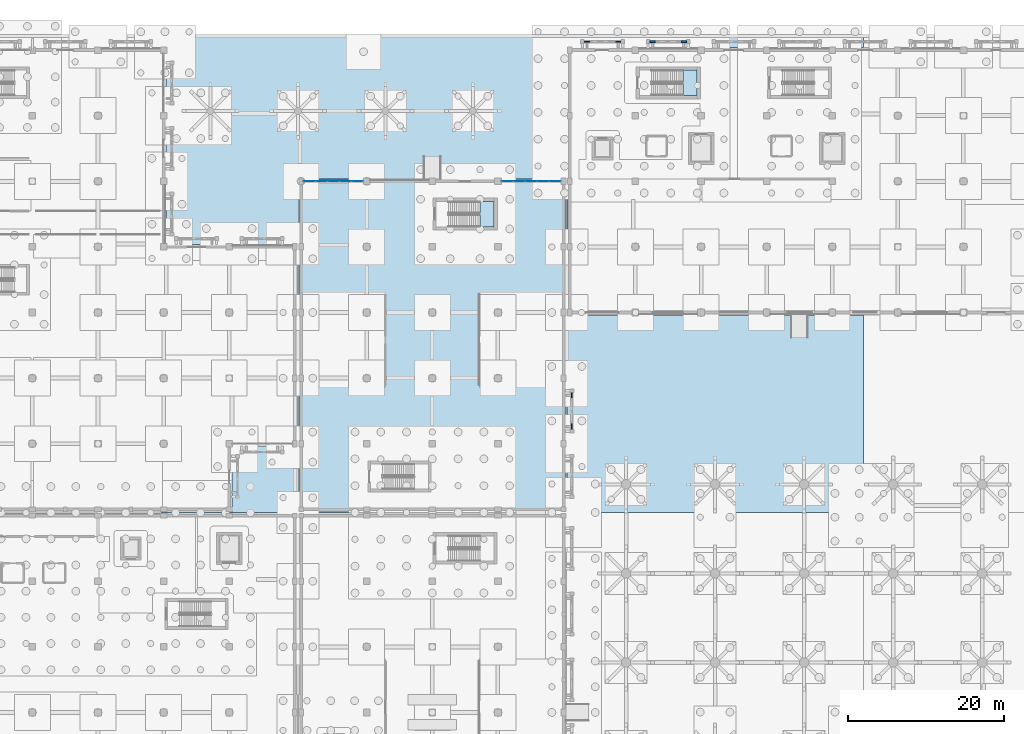
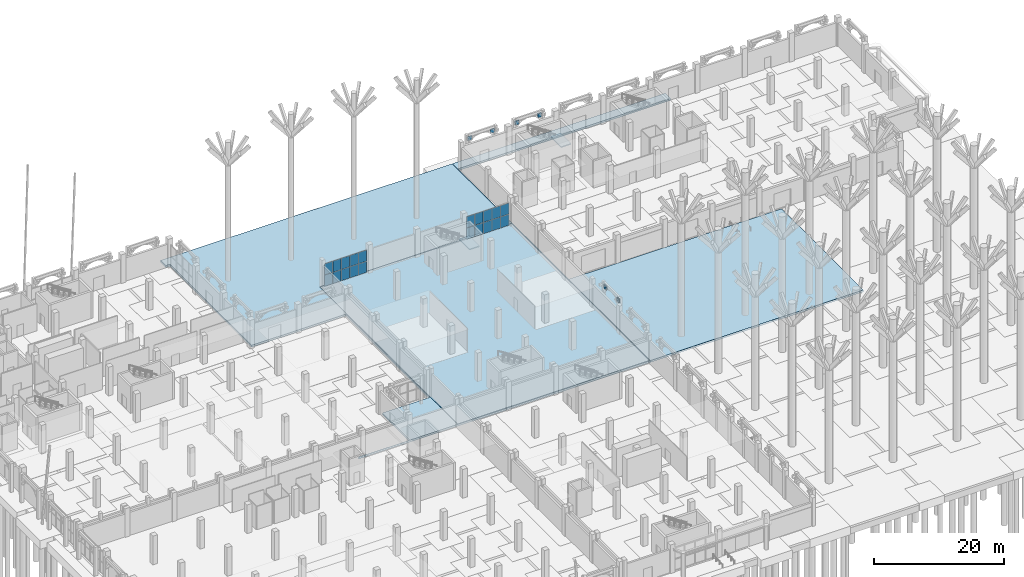
# One storey, part 54 of 98: 26 plates, 5 slabs, 4 elements without a shape of their own.
"""IFC4 building model written with IfcOpenShell, lengths in metres."""

from ifc_helpers import new_model, si_unit, direction, frame, origin, origin_2d, place, context, subcontext, project, spatial, polyline, rectangle, outline, extrude, material, layer, layer_set, type_object, element, aggregate, save


model = new_model("IFC4")

# Units and contexts
model_context = context("Model", 3, precision=1e-05, world=origin(), true_north=direction((0.0, 1.0)))
body_context = subcontext(model_context, "Body", "Model", "MODEL_VIEW")
ifc_project = project(units=[si_unit("LENGTHUNIT", "METRE"), si_unit("AREAUNIT", "SQUARE_METRE"), si_unit("VOLUMEUNIT", "CUBIC_METRE"), si_unit("PLANEANGLEUNIT", "RADIAN"), si_unit("MASSUNIT", "GRAM", prefix="KILO")], contexts=[model_context])

# Site, building, storey
site_placement = place(None, origin())
site = spatial("IfcSite", under=ifc_project, at=site_placement, CompositionType="ELEMENT")
building_placement = place(site_placement, origin())
building = spatial("IfcBuilding", under=site, at=building_placement, Name="Xazarin Passage Department Store", CompositionType="ELEMENT")
storey_placement = place(building_placement, origin())
storey = spatial("IfcBuildingStorey", under=building, at=storey_placement, Name="L00", CompositionType="ELEMENT", Elevation=0.0)

# Curtain wall, plates
ifc_material_1 = material(Name="Bronze anodised aluminium", Category="aluminium")
ifc_layer_1 = layer(ifc_material_1, 0.169921875)
ifc_layer_set_1 = layer_set([ifc_layer_1], Name="Bronze anodised aluminium")
curtain_wall_type = type_object("IfcCurtainWallType", Name="ARC-CW-ARC2", PredefinedType="NOTDEFINED", material=ifc_layer_set_1)
curtain_wall_1_placement = place(storey_placement, origin())
curtain_wall_1 = element("IfcCurtainWall", 1, at=curtain_wall_1_placement, inside=storey, type_object=curtain_wall_type, Name="L00 V2N Curtain Wall 108", PredefinedType="NOTDEFINED")
ifc_material_2 = material(Name="Low-E laminated safety glass", Category="glass")
ifc_layer_2 = layer(ifc_material_2, 0.028076171875)
ifc_layer_set_2 = layer_set([ifc_layer_2], Name="Low-E laminated safety glass")
plate_type_1 = type_object("IfcPlateType", Name="ARC-CWP-GLZ28", PredefinedType="CURTAIN_PANEL", material=ifc_layer_set_2)
plate_1_placement = place(storey_placement, frame((69.083740234375, 93.199951171875, 0.06494140625), z_axis=(0.0, 0.0, 1.0), x_axis=(1.0, 0.0, 0.0)))
plate_1 = element("IfcPlate", 2, at=plate_1_placement, type_object=plate_type_1, Name="CW4 panel 1.1", PredefinedType="CURTAIN_PANEL", context=body_context, shape_type="SweptSolid", body=[
    extrude(rectangle(XDim=1.4375, YDim=0.028076171875, at=origin_2d()), origin(), (0.0, 0.0, 1.0), 2.077392578125),
])
plate_2_placement = place(storey_placement, frame((69.083740234375, 93.199951171875, 2.20751953125), z_axis=(0.0, 0.0, 1.0), x_axis=(1.0, 0.0, 0.0)))
plate_2 = element("IfcPlate", 3, at=plate_2_placement, type_object=plate_type_1, Name="CW4 panel 1.2", PredefinedType="CURTAIN_PANEL", context=body_context, shape_type="SweptSolid", body=[
    extrude(rectangle(XDim=1.4375, YDim=0.028076171875, at=origin_2d()), origin(), (0.0, 0.0, 1.0), 2.077392578125),
])
plate_3_placement = place(storey_placement, frame((70.6025390625, 93.199951171875, 0.06494140625), z_axis=(0.0, 0.0, 1.0), x_axis=(1.0, 0.0, 0.0)))
plate_3 = element("IfcPlate", 4, at=plate_3_placement, type_object=plate_type_1, Name="CW4 panel 2.1", PredefinedType="CURTAIN_PANEL", context=body_context, shape_type="SweptSolid", body=[
    extrude(rectangle(XDim=1.469970703125, YDim=0.028076171875, at=origin_2d()), origin(), (0.0, 0.0, 1.0), 2.077392578125),
])
plate_4_placement = place(storey_placement, frame((70.6025390625, 93.199951171875, 2.20751953125), z_axis=(0.0, 0.0, 1.0), x_axis=(1.0, 0.0, 0.0)))
plate_4 = element("IfcPlate", 5, at=plate_4_placement, type_object=plate_type_1, Name="CW4 panel 2.2", PredefinedType="CURTAIN_PANEL", context=body_context, shape_type="SweptSolid", body=[
    extrude(rectangle(XDim=1.469970703125, YDim=0.028076171875, at=origin_2d()), origin(), (0.0, 0.0, 1.0), 2.077392578125),
])
plate_5_placement = place(storey_placement, frame((72.137451171875, 93.199951171875, 0.06494140625), z_axis=(0.0, 0.0, 1.0), x_axis=(1.0, 0.0, 0.0)))
plate_5 = element("IfcPlate", 6, at=plate_5_placement, type_object=plate_type_1, Name="CW4 panel 3.1", PredefinedType="CURTAIN_PANEL", context=body_context, shape_type="SweptSolid", body=[
    extrude(rectangle(XDim=1.469970703125, YDim=0.028076171875, at=origin_2d()), origin(), (0.0, 0.0, 1.0), 2.077392578125),
])
plate_6_placement = place(storey_placement, frame((72.137451171875, 93.199951171875, 2.20751953125), z_axis=(0.0, 0.0, 1.0), x_axis=(1.0, 0.0, 0.0)))
plate_6 = element("IfcPlate", 7, at=plate_6_placement, type_object=plate_type_1, Name="CW4 panel 3.2", PredefinedType="CURTAIN_PANEL", context=body_context, shape_type="SweptSolid", body=[
    extrude(rectangle(XDim=1.469970703125, YDim=0.028076171875, at=origin_2d()), origin(), (0.0, 0.0, 1.0), 2.077392578125),
])
plate_7_placement = place(storey_placement, frame((73.672607421875, 93.199951171875, 0.06494140625), z_axis=(0.0, 0.0, 1.0), x_axis=(1.0, 0.0, 0.0)))
plate_7 = element("IfcPlate", 8, at=plate_7_placement, type_object=plate_type_1, Name="CW4 panel 4.1", PredefinedType="CURTAIN_PANEL", context=body_context, shape_type="SweptSolid", body=[
    extrude(rectangle(XDim=1.469970703125, YDim=0.028076171875, at=origin_2d()), origin(), (0.0, 0.0, 1.0), 2.077392578125),
])
plate_8_placement = place(storey_placement, frame((73.672607421875, 93.199951171875, 2.20751953125), z_axis=(0.0, 0.0, 1.0), x_axis=(1.0, 0.0, 0.0)))
plate_8 = element("IfcPlate", 9, at=plate_8_placement, type_object=plate_type_1, Name="CW4 panel 4.2", PredefinedType="CURTAIN_PANEL", context=body_context, shape_type="SweptSolid", body=[
    extrude(rectangle(XDim=1.469970703125, YDim=0.028076171875, at=origin_2d()), origin(), (0.0, 0.0, 1.0), 2.077392578125),
])
plate_9_placement = place(storey_placement, frame((75.191162109375, 93.199951171875, 0.06494140625), z_axis=(0.0, 0.0, 1.0), x_axis=(1.0, 0.0, 0.0)))
plate_9 = element("IfcPlate", 10, at=plate_9_placement, type_object=plate_type_1, Name="CW4 panel 5.1", PredefinedType="CURTAIN_PANEL", context=body_context, shape_type="SweptSolid", body=[
    extrude(rectangle(XDim=1.4375, YDim=0.028076171875, at=origin_2d()), origin(), (0.0, 0.0, 1.0), 2.077392578125),
])
plate_10_placement = place(storey_placement, frame((75.191162109375, 93.199951171875, 2.20751953125), z_axis=(0.0, 0.0, 1.0), x_axis=(1.0, 0.0, 0.0)))
plate_10 = element("IfcPlate", 11, at=plate_10_placement, type_object=plate_type_1, Name="CW4 panel 5.2", PredefinedType="CURTAIN_PANEL", context=body_context, shape_type="SweptSolid", body=[
    extrude(rectangle(XDim=1.4375, YDim=0.028076171875, at=origin_2d()), origin(), (0.0, 0.0, 1.0), 2.077392578125),
])
aggregate(curtain_wall_1, [plate_1, plate_2, plate_3, plate_4, plate_5, plate_6, plate_7, plate_8, plate_9, plate_10])

curtain_wall_2_placement = place(storey_placement, origin())
curtain_wall_2 = element("IfcCurtainWall", 12, at=curtain_wall_2_placement, inside=storey, type_object=curtain_wall_type, Name="L00 V2N Curtain Wall 109", PredefinedType="NOTDEFINED")
plate_11_placement = place(storey_placement, frame((94.40869140625, 93.199951171875, 0.06494140625), z_axis=(0.0, 0.0, 1.0), x_axis=(1.0, 0.0, 0.0)))
plate_11 = element("IfcPlate", 13, at=plate_11_placement, type_object=plate_type_1, Name="CW4 panel 1.1", PredefinedType="CURTAIN_PANEL", context=body_context, shape_type="SweptSolid", body=[
    extrude(rectangle(XDim=1.4375, YDim=0.028076171875, at=origin_2d()), origin(), (0.0, 0.0, 1.0), 2.077392578125),
])
plate_12_placement = place(storey_placement, frame((94.40869140625, 93.199951171875, 2.20751953125), z_axis=(0.0, 0.0, 1.0), x_axis=(1.0, 0.0, 0.0)))
plate_12 = element("IfcPlate", 14, at=plate_12_placement, type_object=plate_type_1, Name="CW4 panel 1.2", PredefinedType="CURTAIN_PANEL", context=body_context, shape_type="SweptSolid", body=[
    extrude(rectangle(XDim=1.4375, YDim=0.028076171875, at=origin_2d()), origin(), (0.0, 0.0, 1.0), 2.077392578125),
])
plate_13_placement = place(storey_placement, frame((95.927490234375, 93.199951171875, 0.06494140625), z_axis=(0.0, 0.0, 1.0), x_axis=(1.0, 0.0, 0.0)))
plate_13 = element("IfcPlate", 15, at=plate_13_placement, type_object=plate_type_1, Name="CW4 panel 2.1", PredefinedType="CURTAIN_PANEL", context=body_context, shape_type="SweptSolid", body=[
    extrude(rectangle(XDim=1.469970703125, YDim=0.028076171875, at=origin_2d()), origin(), (0.0, 0.0, 1.0), 2.077392578125),
])
plate_14_placement = place(storey_placement, frame((95.927490234375, 93.199951171875, 2.20751953125), z_axis=(0.0, 0.0, 1.0), x_axis=(1.0, 0.0, 0.0)))
plate_14 = element("IfcPlate", 16, at=plate_14_placement, type_object=plate_type_1, Name="CW4 panel 2.2", PredefinedType="CURTAIN_PANEL", context=body_context, shape_type="SweptSolid", body=[
    extrude(rectangle(XDim=1.469970703125, YDim=0.028076171875, at=origin_2d()), origin(), (0.0, 0.0, 1.0), 2.077392578125),
])
plate_15_placement = place(storey_placement, frame((97.46240234375, 93.199951171875, 0.06494140625), z_axis=(0.0, 0.0, 1.0), x_axis=(1.0, 0.0, 0.0)))
plate_15 = element("IfcPlate", 17, at=plate_15_placement, type_object=plate_type_1, Name="CW4 panel 3.1", PredefinedType="CURTAIN_PANEL", context=body_context, shape_type="SweptSolid", body=[
    extrude(rectangle(XDim=1.469970703125, YDim=0.028076171875, at=origin_2d()), origin(), (0.0, 0.0, 1.0), 2.077392578125),
])
plate_16_placement = place(storey_placement, frame((97.46240234375, 93.199951171875, 2.20751953125), z_axis=(0.0, 0.0, 1.0), x_axis=(1.0, 0.0, 0.0)))
plate_16 = element("IfcPlate", 18, at=plate_16_placement, type_object=plate_type_1, Name="CW4 panel 3.2", PredefinedType="CURTAIN_PANEL", context=body_context, shape_type="SweptSolid", body=[
    extrude(rectangle(XDim=1.469970703125, YDim=0.028076171875, at=origin_2d()), origin(), (0.0, 0.0, 1.0), 2.077392578125),
])
plate_17_placement = place(storey_placement, frame((98.99755859375, 93.199951171875, 0.06494140625), z_axis=(0.0, 0.0, 1.0), x_axis=(1.0, 0.0, 0.0)))
plate_17 = element("IfcPlate", 19, at=plate_17_placement, type_object=plate_type_1, Name="CW4 panel 4.1", PredefinedType="CURTAIN_PANEL", context=body_context, shape_type="SweptSolid", body=[
    extrude(rectangle(XDim=1.469970703125, YDim=0.028076171875, at=origin_2d()), origin(), (0.0, 0.0, 1.0), 2.077392578125),
])
plate_18_placement = place(storey_placement, frame((98.99755859375, 93.199951171875, 2.20751953125), z_axis=(0.0, 0.0, 1.0), x_axis=(1.0, 0.0, 0.0)))
plate_18 = element("IfcPlate", 20, at=plate_18_placement, type_object=plate_type_1, Name="CW4 panel 4.2", PredefinedType="CURTAIN_PANEL", context=body_context, shape_type="SweptSolid", body=[
    extrude(rectangle(XDim=1.469970703125, YDim=0.028076171875, at=origin_2d()), origin(), (0.0, 0.0, 1.0), 2.077392578125),
])
plate_19_placement = place(storey_placement, frame((100.516357421875, 93.199951171875, 0.06494140625), z_axis=(0.0, 0.0, 1.0), x_axis=(1.0, 0.0, 0.0)))
plate_19 = element("IfcPlate", 21, at=plate_19_placement, type_object=plate_type_1, Name="CW4 panel 5.1", PredefinedType="CURTAIN_PANEL", context=body_context, shape_type="SweptSolid", body=[
    extrude(rectangle(XDim=1.4375, YDim=0.028076171875, at=origin_2d()), origin(), (0.0, 0.0, 1.0), 2.077392578125),
])
plate_20_placement = place(storey_placement, frame((100.516357421875, 93.199951171875, 2.20751953125), z_axis=(0.0, 0.0, 1.0), x_axis=(1.0, 0.0, 0.0)))
plate_20 = element("IfcPlate", 22, at=plate_20_placement, type_object=plate_type_1, Name="CW4 panel 5.2", PredefinedType="CURTAIN_PANEL", context=body_context, shape_type="SweptSolid", body=[
    extrude(rectangle(XDim=1.4375, YDim=0.028076171875, at=origin_2d()), origin(), (0.0, 0.0, 1.0), 2.077392578125),
])
aggregate(curtain_wall_2, [plate_11, plate_12, plate_13, plate_14, plate_15, plate_16, plate_17, plate_18, plate_19, plate_20])

# Plates
ifc_material_3 = material(Name="Precast concrete C40/50", Category="concrete")
ifc_layer_3 = layer(ifc_material_3, 0.159912109375)
ifc_layer_set_3 = layer_set([ifc_layer_3], Name="Precast concrete C40/50")
plate_type_2 = type_object("IfcPlateType", Name="ARC-PLT-SCR-09", PredefinedType="USERDEFINED", material=ifc_layer_set_3)
for number, where, z_axis, x_axis, name in (
    (23, (102.64990234375, 61.800048828125, 4.16015625), (0.0, 0.0, 1.0), (0.0, 1.0, 0.0), "L00 V2N Arch Spandrel Tympanum 0209"),
    (24, (102.64990234375, 65.800048828125, 4.16015625), (0.0, 0.0, 1.0), (0.0, 1.0, 0.0), "L00 V2N Arch Spandrel Tympanum 0210"),
    (25, (104.60009765625, 111.050048828125, 4.16015625), (0.0, 0.0, 1.0), (1.0, 0.0, 0.0), "L00 V4 Arch Spandrel Tympanum 0289"),
    (26, (108.60009765625, 111.050048828125, 4.16015625), (0.0, 0.0, 1.0), (1.0, 0.0, 0.0), "L00 V4 Arch Spandrel Tympanum 0290"),
):
    element("IfcPlate", number, at=place(storey_placement, frame(where, z_axis=z_axis, x_axis=x_axis)), inside=storey, type_object=plate_type_2, Name=name, ObjectType="SCREEN PANEL", PredefinedType="USERDEFINED", context=body_context, shape_type="SweptSolid", body=[
        extrude(rectangle(XDim=0.679931640625, YDim=0.159912109375, at=origin_2d()), origin(), (0.0, 0.0, 1.0), 0.719970703125),
    ])
ifc_layer_4 = layer(ifc_material_3, 0.239990234375)
ifc_layer_set_4 = layer_set([ifc_layer_4], Name="Precast concrete C40/50")
plate_type_3 = type_object("IfcPlateType", Name="ARC-PLT-SCR-17", PredefinedType="USERDEFINED", material=ifc_layer_set_4)
for number, where, z_axis, x_axis, name in (
    (27, (113.0, 111.050048828125, 4.16015625), (0.0, 0.0, 1.0), (1.0, 0.0, 0.0), "L00 V4 Arch Spandrel Tympanum 0297"),
    (28, (117.0, 111.050048828125, 4.16015625), (0.0, 0.0, 1.0), (1.0, 0.0, 0.0), "L00 V4 Arch Spandrel Tympanum 0298"),
):
    element("IfcPlate", number, at=place(storey_placement, frame(where, z_axis=z_axis, x_axis=x_axis)), inside=storey, type_object=plate_type_3, Name=name, ObjectType="SCREEN PANEL", PredefinedType="USERDEFINED", context=body_context, shape_type="SweptSolid", body=[
        extrude(rectangle(XDim=0.679931640625, YDim=0.239990234375, at=origin_2d()), origin(), (0.0, 0.0, 1.0), 0.719970703125),
    ])

# Slab
ifc_material_4 = material(Name="Concrete C35/45", Category="concrete")
ifc_layer_5 = layer(ifc_material_4, 0.39990234375)
ifc_layer_set_5 = layer_set([ifc_layer_5], Name="Concrete C35/45")
slab_type_1 = type_object("IfcSlabType", Name="STR-SLB-BASE400", PredefinedType="BASESLAB", material=ifc_layer_set_5)
slab_1_placement = place(storey_placement, frame((0.0, 0.0, -0.39990234375)))
element("IfcSlab", 29, at=slab_1_placement, inside=storey, type_object=slab_type_1, Name="L00 V2N Structural Base Slab", PredefinedType="BASESLAB", context=body_context, shape_type="SweptSolid", body=[
    extrude(outline(polyline([(101.89990234375, 93.5), (67.699951171875, 93.5), (67.699951171875, 50.89990234375), (101.89990234375, 50.89990234375), (101.89990234375, 93.5)])), origin(), (0.0, 0.0, 1.0), 0.39990234375),
])

# Stair, slab
stair_type = type_object("IfcStairType", Name="ARC-ST-L00", PredefinedType="HALF_TURN_STAIR", material=ifc_material_4)
stair_1_placement = place(storey_placement, origin())
stair_1 = element("IfcStair", 30, at=stair_1_placement, inside=storey, type_object=stair_type, Name="L00 Exit Stair ST7", PredefinedType="HALF_TURN_STAIR")
ifc_layer_6 = layer(ifc_material_4, 0.199951171875)
ifc_layer_set_6 = layer_set([ifc_layer_6], Name="Concrete C35/45")
slab_type_2 = type_object("IfcSlabType", Name="STR-SLB-LND200", PredefinedType="LANDING", material=ifc_layer_set_6)
slab_2_placement = place(storey_placement, frame((0.0, 0.0, 2.5)))
slab_2 = element("IfcSlab", 31, at=slab_2_placement, type_object=slab_type_2, Name="ST7 landing 1", PredefinedType="LANDING", context=body_context, shape_type="SweptSolid", body=[
    extrude(outline(polyline([(90.889892578125, 87.3798828125), (92.699951171875, 87.3798828125), (92.699951171875, 90.6201171875), (90.889892578125, 90.6201171875), (90.889892578125, 87.3798828125)])), origin(), (0.0, 0.0, 1.0), 0.199951171875),
])
aggregate(stair_1, [slab_2])

stair_2_placement = place(storey_placement, origin())
stair_2 = element("IfcStair", 32, at=stair_2_placement, inside=storey, type_object=stair_type, Name="L00 Exit Stair ST10", PredefinedType="HALF_TURN_STAIR")
slab_3_placement = place(storey_placement, frame((0.0, 0.0, 2.5)))
slab_3 = element("IfcSlab", 33, at=slab_3_placement, type_object=slab_type_2, Name="ST10 landing 1", PredefinedType="LANDING", context=body_context, shape_type="SweptSolid", body=[
    extrude(outline(polyline([(116.889892578125, 104.179931640625), (118.699951171875, 104.179931640625), (118.699951171875, 107.419921875), (116.889892578125, 107.419921875), (116.889892578125, 104.179931640625)])), origin(), (0.0, 0.0, 1.0), 0.199951171875),
])
aggregate(stair_2, [slab_3])

# Slabs
ifc_layer_7 = layer(ifc_material_4, 0.35009765625)
ifc_layer_set_7 = layer_set([ifc_layer_7], Name="Concrete C35/45")
slab_type_3 = type_object("IfcSlabType", Name="STR-SLB-PLZ350", PredefinedType="BASESLAB", material=ifc_layer_set_7)
slab_4_placement = place(storey_placement, frame((0.0, 0.0, -0.35009765625)))
element("IfcSlab", 34, at=slab_4_placement, inside=storey, type_object=slab_type_3, Name="L00 Open Trading Court Limestone Plaza Slab 04", PredefinedType="BASESLAB", context=body_context, shape_type="SweptSolid", body=[
    extrude(outline(polyline([(67.5244140625, 59.295166015625), (67.52392578125, 59.292724609375), (67.523193359375, 59.290283203125), (67.52197265625, 59.2880859375), (67.520751953125, 59.2861328125), (67.519287109375, 59.2841796875), (67.517578125, 59.2822265625), (67.515869140625, 59.28076171875), (67.513916015625, 59.279296875), (67.51171875, 59.278076171875), (67.509521484375, 59.27685546875), (67.50732421875, 59.276123046875), (67.5048828125, 59.275390625), (67.50244140625, 59.275146484375), (67.5, 59.27490234375), (59.125, 59.27490234375), (59.125, 50.89990234375), (59.125, 50.8974609375), (59.12451171875, 50.89501953125), (59.123779296875, 50.892578125), (59.123046875, 50.890380859375), (59.1220703125, 50.88818359375), (59.120849609375, 50.885986328125), (59.119384765625, 50.884033203125), (59.11767578125, 50.88232421875), (59.115966796875, 50.880615234375), (59.114013671875, 50.879150390625), (59.11181640625, 50.8779296875), (59.109619140625, 50.876953125), (59.107421875, 50.876220703125), (59.10498046875, 50.87548828125), (59.1025390625, 50.875), (59.10009765625, 50.875), (50.010009765625, 50.875), (50.010009765625, 50.81005859375), (101.989990234375, 50.81005859375), (101.989990234375, 111.989990234375), (50.010009765625, 111.989990234375), (50.010009765625, 110.324951171875), (50.699951171875, 110.324951171875), (50.702392578125, 110.324951171875), (50.704833984375, 110.324462890625), (50.707275390625, 110.323974609375), (50.709716796875, 110.322998046875), (50.7119140625, 110.322021484375), (50.7138671875, 110.32080078125), (50.7158203125, 110.3193359375), (50.7177734375, 110.317626953125), (50.71923828125, 110.31591796875), (50.720703125, 110.31396484375), (50.721923828125, 110.311767578125), (50.72314453125, 110.3095703125), (50.723876953125, 110.307373046875), (50.724609375, 110.304931640625), (50.724853515625, 110.302490234375), (50.72509765625, 110.300048828125), (50.72509765625, 85.125), (67.5, 85.125), (67.50244140625, 85.125), (67.5048828125, 85.12451171875), (67.50732421875, 85.123779296875), (67.509521484375, 85.123046875), (67.51171875, 85.1220703125), (67.513916015625, 85.120849609375), (67.515869140625, 85.119384765625), (67.517578125, 85.11767578125), (67.519287109375, 85.115966796875), (67.520751953125, 85.114013671875), (67.52197265625, 85.11181640625), (67.523193359375, 85.109619140625), (67.52392578125, 85.107421875), (67.5244140625, 85.10498046875), (67.52490234375, 85.1025390625), (67.52490234375, 85.10009765625), (67.52490234375, 59.300048828125), (67.52490234375, 59.297607421875), (67.5244140625, 59.295166015625)]), holes=[polyline([(101.9248046875, 50.8974609375), (101.924560546875, 50.89501953125), (101.923828125, 50.892578125), (101.923095703125, 50.890380859375), (101.922119140625, 50.88818359375), (101.9208984375, 50.885986328125), (101.919189453125, 50.884033203125), (101.917724609375, 50.88232421875), (101.916015625, 50.880615234375), (101.913818359375, 50.879150390625), (101.911865234375, 50.8779296875), (101.90966796875, 50.876953125), (101.9072265625, 50.876220703125), (101.90478515625, 50.87548828125), (101.902587890625, 50.875), (101.89990234375, 50.875), (67.699951171875, 50.875), (67.697509765625, 50.875), (67.695068359375, 50.87548828125), (67.692626953125, 50.876220703125), (67.6904296875, 50.876953125), (67.688232421875, 50.8779296875), (67.68603515625, 50.879150390625), (67.68408203125, 50.880615234375), (67.682373046875, 50.88232421875), (67.6806640625, 50.884033203125), (67.67919921875, 50.885986328125), (67.677978515625, 50.88818359375), (67.677001953125, 50.890380859375), (67.676025390625, 50.892578125), (67.675537109375, 50.89501953125), (67.675048828125, 50.8974609375), (67.675048828125, 50.89990234375), (67.675048828125, 93.5), (67.675048828125, 93.50244140625), (67.675537109375, 93.5048828125), (67.676025390625, 93.50732421875), (67.677001953125, 93.509521484375), (67.677978515625, 93.51171875), (67.67919921875, 93.513916015625), (67.6806640625, 93.515869140625), (67.682373046875, 93.517578125), (67.68408203125, 93.519287109375), (67.68603515625, 93.520751953125), (67.688232421875, 93.52197265625), (67.6904296875, 93.523193359375), (67.692626953125, 93.52392578125), (67.695068359375, 93.5244140625), (67.697509765625, 93.52490234375), (67.699951171875, 93.52490234375), (101.89990234375, 93.52490234375), (101.902587890625, 93.52490234375), (101.90478515625, 93.5244140625), (101.9072265625, 93.52392578125), (101.90966796875, 93.523193359375), (101.911865234375, 93.52197265625), (101.913818359375, 93.520751953125), (101.916015625, 93.519287109375), (101.917724609375, 93.517578125), (101.919189453125, 93.515869140625), (101.9208984375, 93.513916015625), (101.922119140625, 93.51171875), (101.923095703125, 93.509521484375), (101.923828125, 93.50732421875), (101.924560546875, 93.5048828125), (101.9248046875, 93.50244140625), (101.925048828125, 93.5), (101.925048828125, 50.89990234375), (101.9248046875, 50.8974609375)])]), origin(), (0.0, 0.0, 1.0), 0.35009765625),
])
slab_5_placement = place(storey_placement, frame((0.0, 0.0, -0.35009765625)))
element("IfcSlab", 35, at=slab_5_placement, inside=storey, type_object=slab_type_3, Name="L00 Open Trading Court Limestone Plaza Slab 06", PredefinedType="BASESLAB", context=body_context, shape_type="SweptSolid", body=[
    extrude(outline(polyline([(102.09521484375, 76.075439453125), (102.0927734375, 76.076171875), (102.09033203125, 76.076904296875), (102.088134765625, 76.077880859375), (102.086181640625, 76.0791015625), (102.083984375, 76.080810546875), (102.082275390625, 76.082275390625), (102.080810546875, 76.083984375), (102.0791015625, 76.086181640625), (102.077880859375, 76.088134765625), (102.076904296875, 76.09033203125), (102.076171875, 76.0927734375), (102.075439453125, 76.09521484375), (102.0751953125, 76.097412109375), (102.074951171875, 76.10009765625), (102.074951171875, 110.300048828125), (102.0751953125, 110.302490234375), (102.075439453125, 110.304931640625), (102.076171875, 110.307373046875), (102.076904296875, 110.3095703125), (102.077880859375, 110.311767578125), (102.0791015625, 110.31396484375), (102.080810546875, 110.31591796875), (102.082275390625, 110.317626953125), (102.083984375, 110.3193359375), (102.086181640625, 110.32080078125), (102.088134765625, 110.322021484375), (102.09033203125, 110.322998046875), (102.0927734375, 110.323974609375), (102.09521484375, 110.324462890625), (102.097412109375, 110.324951171875), (102.10009765625, 110.324951171875), (139.989990234375, 110.324951171875), (139.989990234375, 111.989990234375), (102.010009765625, 111.989990234375), (102.010009765625, 50.81005859375), (139.989990234375, 50.81005859375), (139.989990234375, 76.074951171875), (102.10009765625, 76.074951171875), (102.097412109375, 76.0751953125), (102.09521484375, 76.075439453125)])), origin(), (0.0, 0.0, 1.0), 0.35009765625),
])

save(model, "model.ifc")
